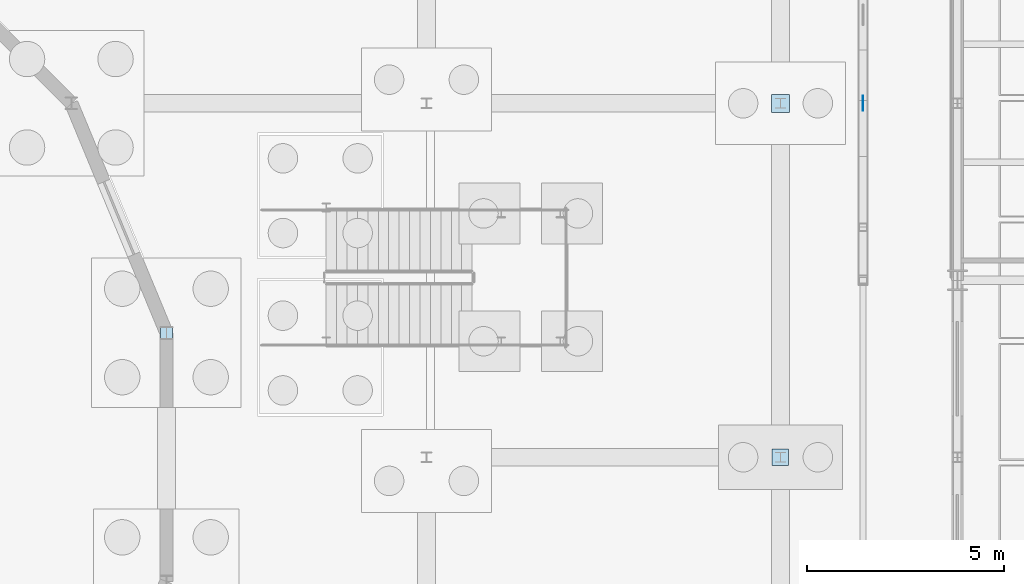
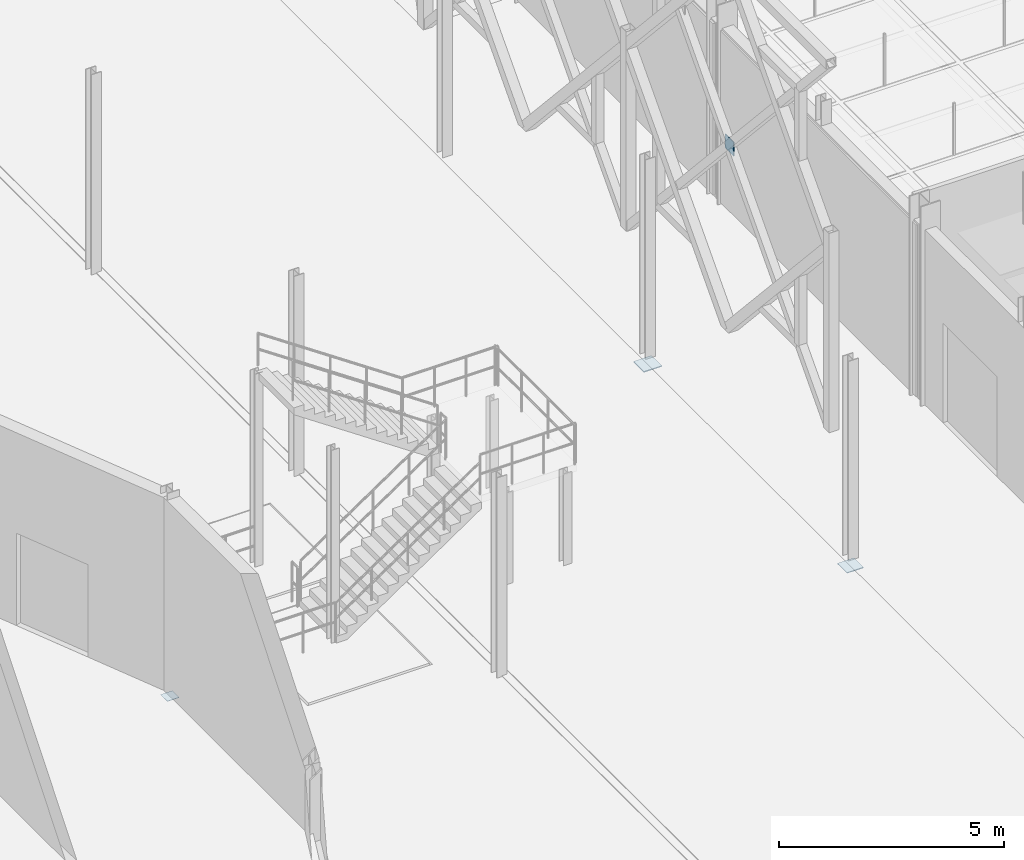
# One storey, part 78 of 180: 4 plates.
"""IFC4 building model written with IfcOpenShell, lengths in metres."""

from ifc_helpers import new_model, si_unit, direction, frame, origin, origin_2d, place, context, subcontext, project, spatial, rectangle, extrude, material, layer, layer_set, type_object, element, save


model = new_model("IFC4")

# Units and contexts
model_context = context("Model", 3, precision=1e-05, world=origin(), true_north=direction((0.0, 1.0)))
body_context = subcontext(model_context, "Body", "Model", "MODEL_VIEW")
ifc_project = project(units=[si_unit("LENGTHUNIT", "METRE"), si_unit("AREAUNIT", "SQUARE_METRE"), si_unit("VOLUMEUNIT", "CUBIC_METRE"), si_unit("PLANEANGLEUNIT", "RADIAN"), si_unit("MASSUNIT", "GRAM", prefix="KILO"), si_unit("THERMODYNAMICTEMPERATUREUNIT", "KELVIN"), si_unit("POWERUNIT", "WATT")], contexts=[model_context])

# Site, building, storey
site_placement = place(None, origin())
site = spatial("IfcSite", under=ifc_project, at=site_placement, CompositionType="ELEMENT")
building_placement = place(site_placement, origin())
building = spatial("IfcBuilding", under=site, at=building_placement, Name="Tallowbark Science Centre", CompositionType="ELEMENT")
storey_placement = place(building_placement, origin())
storey = spatial("IfcBuildingStorey", under=building, at=storey_placement, Name="L00", CompositionType="ELEMENT", Elevation=0.0)

# Plates
ifc_material = material(Name="Structural Steel Grade 300PLUS (300 MPa)", Category="steel")
ifc_layer_1 = layer(ifc_material, 0.010009765625)
ifc_layer_set_1 = layer_set([ifc_layer_1], Name="Structural Steel Grade 300PLUS (300 MPa)")
plate_type_1 = type_object("IfcPlateType", Name="PLT-GUS-10", PredefinedType="SHEET", material=ifc_layer_set_1)
plate_1_placement = place(storey_placement, frame((38.388671875, 21.160400390625, -0.240234375), z_axis=(0.0, 0.0, 1.0), x_axis=(1.0, 0.0, 0.0)))
element("IfcPlate", 1, at=plate_1_placement, inside=storey, type_object=plate_type_1, Name="Column Baseplate DRM-P01", PredefinedType="SHEET", context=body_context, shape_type="SweptSolid", body=[
    extrude(rectangle(XDim=0.300048828125, YDim=0.300048828125, at=origin_2d()), origin(), (0.0, 0.0, 1.0), 0.010009765625),
])
ifc_layer_2 = layer(ifc_material, 0.01806640625)
ifc_layer_set_2 = layer_set([ifc_layer_2], Name="Structural Steel Grade 300PLUS (300 MPa)")
plate_type_2 = type_object("IfcPlateType", Name="PLT-GUS-18", PredefinedType="SHEET", material=ifc_layer_set_2)
plate_2_placement = place(storey_placement, frame((56.10009765625, 27.0, 4.760009765625), z_axis=(0.0, 0.0, 1.0), x_axis=(0.0, 1.0, 0.0)))
element("IfcPlate", 2, at=plate_2_placement, inside=storey, type_object=plate_type_2, Name="Star X-Brace Crossing Gusset Plate W-13", PredefinedType="SHEET", context=body_context, shape_type="SweptSolid", body=[
    extrude(rectangle(XDim=0.3798828125, YDim=0.01806640625, at=origin_2d()), origin(), (0.0, 0.0, 1.0), 0.3798828125),
])
ifc_layer_3 = layer(ifc_material, 0.02197265625)
ifc_layer_set_3 = layer_set([ifc_layer_3], Name="Structural Steel Grade 300PLUS (300 MPa)")
plate_type_3 = type_object("IfcPlateType", Name="PLT-GUS-22", PredefinedType="SHEET", material=ifc_layer_set_3)
plate_3_placement = place(storey_placement, frame((54.0, 18.0, -0.260009765625), z_axis=(0.0, 0.0, 1.0), x_axis=(1.0, 0.0, 0.0)))
element("IfcPlate", 3, at=plate_3_placement, inside=storey, type_object=plate_type_3, Name="Column Baseplate PAS-E02", PredefinedType="SHEET", context=body_context, shape_type="SweptSolid", body=[
    extrude(rectangle(XDim=0.419921875, YDim=0.419921875, at=origin_2d()), origin(), (0.0, 0.0, 1.0), 0.02197265625),
])
ifc_layer_4 = layer(ifc_material, 0.02587890625)
ifc_layer_set_4 = layer_set([ifc_layer_4], Name="Structural Steel Grade 300PLUS (300 MPa)")
plate_type_4 = type_object("IfcPlateType", Name="PLT-GUS-26", PredefinedType="SHEET", material=ifc_layer_set_4)
plate_4_placement = place(storey_placement, frame((54.0, 27.0, -0.260009765625), z_axis=(0.0, 0.0, 1.0), x_axis=(1.0, 0.0, 0.0)))
element("IfcPlate", 4, at=plate_4_placement, inside=storey, type_object=plate_type_4, Name="Column Baseplate PAS-E03", PredefinedType="SHEET", context=body_context, shape_type="SweptSolid", body=[
    extrude(rectangle(XDim=0.4599609375, YDim=0.4599609375, at=origin_2d()), origin(), (0.0, 0.0, 1.0), 0.02587890625),
])

save(model, "model.ifc")
